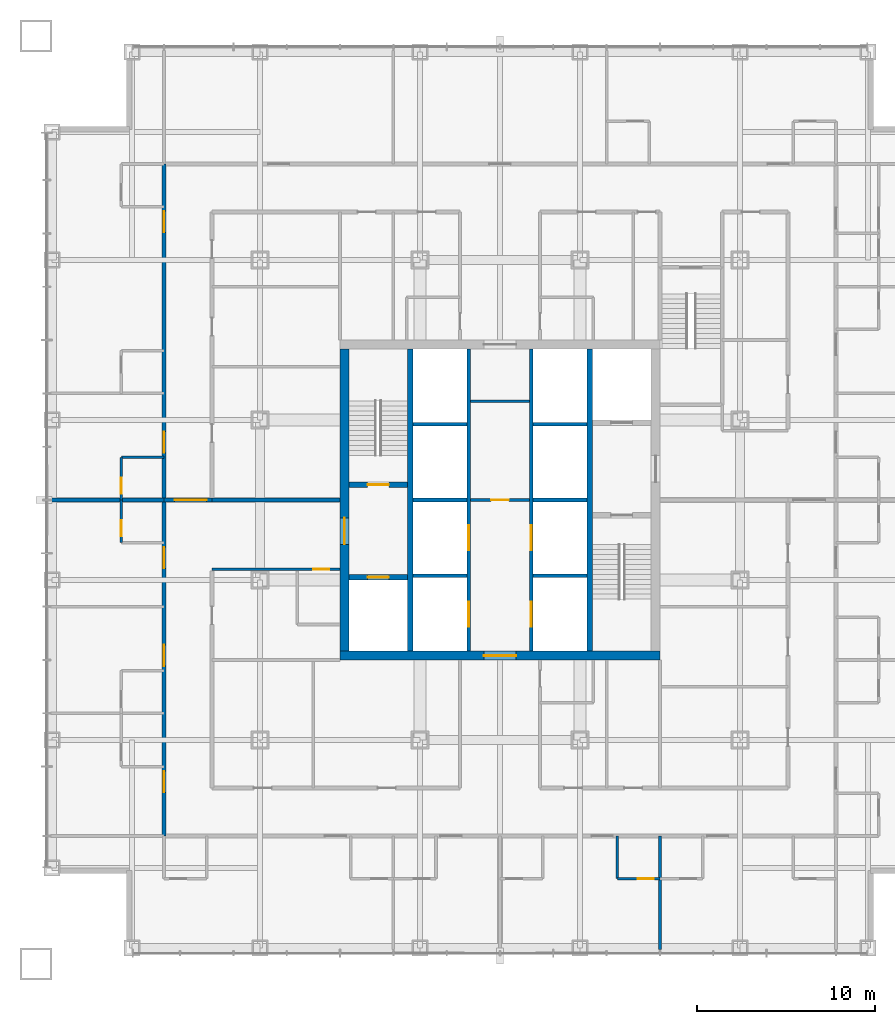
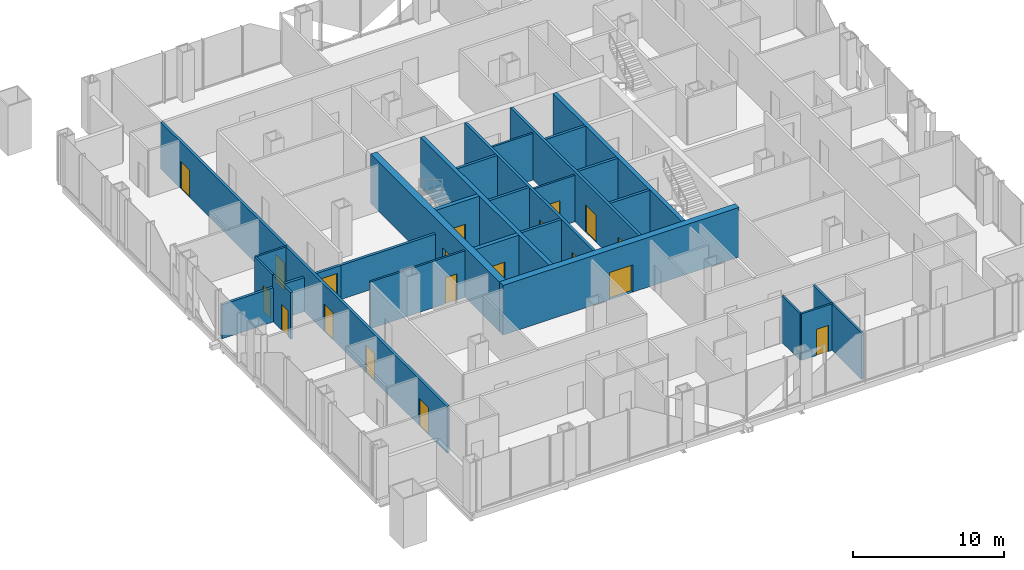
# One storey, part 8 of 13: 27 walls, 19 doors, 19 openings.
"""IFC4 building model written with IfcOpenShell, lengths in metres."""

from ifc_helpers import new_model, si_unit, direction, frame, frame_2d, origin, place, context, subcontext, project, spatial, rectangle, extrude, material, layer, layer_set, type_object, element, fill, save


model = new_model("IFC4")

# Units and contexts
model_context = context("Model", 3, precision=1e-05, world=origin(), true_north=direction((0.0, 1.0)))
body_context = subcontext(model_context, "Body", "Model", "MODEL_VIEW")
ifc_project = project(units=[si_unit("LENGTHUNIT", "METRE"), si_unit("AREAUNIT", "SQUARE_METRE"), si_unit("VOLUMEUNIT", "CUBIC_METRE"), si_unit("PLANEANGLEUNIT", "RADIAN"), si_unit("MASSUNIT", "GRAM", prefix="KILO")], contexts=[model_context])

# Site, building, storey
site_placement = place(None, origin())
site = spatial("IfcSite", under=ifc_project, at=site_placement, CompositionType="ELEMENT")
building_placement = place(site_placement, origin())
building = spatial("IfcBuilding", under=site, at=building_placement, Name="Malebo Sky Hospital", CompositionType="ELEMENT")
storey_placement = place(building_placement, frame((0.0, 0.0, 79.0)))
storey = spatial("IfcBuildingStorey", under=building, at=storey_placement, Name="L18", CompositionType="ELEMENT", Elevation=79.0)

# Wall, openings, doors
ifc_material_1 = material(Name="Concrete C80/95", Category="concrete")
ifc_layer_1 = layer(ifc_material_1, 0.199951171875)
ifc_layer_set_1 = layer_set([ifc_layer_1], Name="CORE INNER WALL 200")
wall_type_1 = type_object("IfcWallType", Name="CORE INNER WALL 200", PredefinedType="SHEAR", material=ifc_layer_set_1)
wall_1_placement = place(storey_placement, frame((58.25, 53.5, 0.0), z_axis=(0.0, 0.0, 1.0), x_axis=(0.0, 1.0, 0.0)))
wall_1 = element("IfcWall", 1, at=wall_1_placement, inside=storey, type_object=wall_type_1, Name="Core wall LW L18", PredefinedType="SHEAR", context=body_context, shape_type="SweptSolid", body=[
    extrude(rectangle(XDim=17.0, YDim=0.199951171875, at=frame_2d((8.5, 0.0))), origin(), (0.0, 0.0, 1.0), 4.0),
])
opening_1_placement = place(wall_1_placement, frame((1.375, 0.0, 0.0)))
opening_1 = element("IfcOpeningElement", 2, at=opening_1_placement, cuts=wall_1, Name="Opening LD1", PredefinedType="OPENING", context=body_context, shape_type="SweptSolid", body=[
    extrude(rectangle(XDim=1.39990234375, YDim=2.199951171875, at=frame_2d((0.699951171875, 1.10009765625))), frame((0.0, 0.10986328125, 0.0), z_axis=(0.0, -1.0, 0.0), x_axis=(1.0, 0.0, 0.0)), (0.0, 0.0, 1.0), 0.219970703125),
])
opening_2_placement = place(wall_1_placement, frame((5.675048828125, 0.0, 0.0)))
opening_2 = element("IfcOpeningElement", 3, at=opening_2_placement, cuts=wall_1, Name="Opening LD1", PredefinedType="OPENING", context=body_context, shape_type="SweptSolid", body=[
    extrude(rectangle(XDim=1.39990234375, YDim=2.199951171875, at=frame_2d((0.699951171875, 1.10009765625))), frame((0.0, 0.10986328125, 0.0), z_axis=(0.0, -1.0, 0.0), x_axis=(1.0, 0.0, 0.0)), (0.0, 0.0, 1.0), 0.219970703125),
])
ifc_material_2 = material(Name="Stainless steel sliding landing door", Category="steel")
door_type_1 = type_object("IfcDoorType", Name="LIFT LANDING DOOR 1400", OperationType="SLIDING_TO_LEFT", PredefinedType="DOOR", material=ifc_material_2)
door_1_placement = place(opening_1_placement, origin())
door_1 = element("IfcDoor", 4, at=door_1_placement, inside=storey, type_object=door_type_1, Name="Lift W1 landing door", OperationType="SLIDING_TO_LEFT", OverallHeight=2.199951171875, OverallWidth=1.39990234375, PredefinedType="DOOR", context=body_context, shape_type="SweptSolid", body=[
    extrude(rectangle(XDim=1.39990234375, YDim=2.199951171875, at=frame_2d((0.699951171875, 1.10009765625))), frame((0.0, 0.02490234375, 0.0), z_axis=(0.0, -1.0, 0.0), x_axis=(1.0, 0.0, 0.0)), (0.0, 0.0, 1.0), 0.050048828125),
])
fill(opening_1, door_1)
door_2_placement = place(opening_2_placement, origin())
door_2 = element("IfcDoor", 5, at=door_2_placement, inside=storey, type_object=door_type_1, Name="Lift W2 landing door", OperationType="SLIDING_TO_LEFT", OverallHeight=2.199951171875, OverallWidth=1.39990234375, PredefinedType="DOOR", context=body_context, shape_type="SweptSolid", body=[
    extrude(rectangle(XDim=1.39990234375, YDim=2.199951171875, at=frame_2d((0.699951171875, 1.10009765625))), frame((0.0, 0.02490234375, 0.0), z_axis=(0.0, -1.0, 0.0), x_axis=(1.0, 0.0, 0.0)), (0.0, 0.0, 1.0), 0.050048828125),
])
fill(opening_2, door_2)

wall_2_placement = place(storey_placement, frame((61.75, 53.5, 0.0), z_axis=(0.0, 0.0, 1.0), x_axis=(0.0, 1.0, 0.0)))
wall_2 = element("IfcWall", 6, at=wall_2_placement, inside=storey, type_object=wall_type_1, Name="Core wall LE L18", PredefinedType="SHEAR", context=body_context, shape_type="SweptSolid", body=[
    extrude(rectangle(XDim=17.0, YDim=0.199951171875, at=frame_2d((8.5, 0.0))), origin(), (0.0, 0.0, 1.0), 4.0),
])
opening_3_placement = place(wall_2_placement, frame((1.375, 0.0, 0.0)))
opening_3 = element("IfcOpeningElement", 7, at=opening_3_placement, cuts=wall_2, Name="Opening LD1", PredefinedType="OPENING", context=body_context, shape_type="SweptSolid", body=[
    extrude(rectangle(XDim=1.39990234375, YDim=2.199951171875, at=frame_2d((0.699951171875, 1.10009765625))), frame((0.0, 0.10986328125, 0.0), z_axis=(0.0, -1.0, 0.0), x_axis=(1.0, 0.0, 0.0)), (0.0, 0.0, 1.0), 0.219970703125),
])
opening_4_placement = place(wall_2_placement, frame((5.675048828125, 0.0, 0.0)))
opening_4 = element("IfcOpeningElement", 8, at=opening_4_placement, cuts=wall_2, Name="Opening LD1", PredefinedType="OPENING", context=body_context, shape_type="SweptSolid", body=[
    extrude(rectangle(XDim=1.39990234375, YDim=2.199951171875, at=frame_2d((0.699951171875, 1.10009765625))), frame((0.0, 0.10986328125, 0.0), z_axis=(0.0, -1.0, 0.0), x_axis=(1.0, 0.0, 0.0)), (0.0, 0.0, 1.0), 0.219970703125),
])
door_3_placement = place(opening_3_placement, origin())
door_3 = element("IfcDoor", 9, at=door_3_placement, inside=storey, type_object=door_type_1, Name="Lift E1 landing door", OperationType="SLIDING_TO_LEFT", OverallHeight=2.199951171875, OverallWidth=1.39990234375, PredefinedType="DOOR", context=body_context, shape_type="SweptSolid", body=[
    extrude(rectangle(XDim=1.39990234375, YDim=2.199951171875, at=frame_2d((0.699951171875, 1.10009765625))), frame((0.0, 0.02490234375, 0.0), z_axis=(0.0, -1.0, 0.0), x_axis=(1.0, 0.0, 0.0)), (0.0, 0.0, 1.0), 0.050048828125),
])
fill(opening_3, door_3)
door_4_placement = place(opening_4_placement, origin())
door_4 = element("IfcDoor", 10, at=door_4_placement, inside=storey, type_object=door_type_1, Name="Lift E2 landing door", OperationType="SLIDING_TO_LEFT", OverallHeight=2.199951171875, OverallWidth=1.39990234375, PredefinedType="DOOR", context=body_context, shape_type="SweptSolid", body=[
    extrude(rectangle(XDim=1.39990234375, YDim=2.199951171875, at=frame_2d((0.699951171875, 1.10009765625))), frame((0.0, 0.02490234375, 0.0), z_axis=(0.0, -1.0, 0.0), x_axis=(1.0, 0.0, 0.0)), (0.0, 0.0, 1.0), 0.050048828125),
])
fill(opening_4, door_4)

# Walls
for number, where, z_axis, x_axis, name in (
    (11, (55.10009765625, 57.75, 0.0), (0.0, 0.0, 1.0), (1.0, 0.0, 0.0), "Core wall SW0 L18"),
    (12, (61.85009765625, 57.75, 0.0), (0.0, 0.0, 1.0), (1.0, 0.0, 0.0), "Core wall SE0 L18"),
    (13, (55.10009765625, 62.0, 0.0), (0.0, 0.0, 1.0), (1.0, 0.0, 0.0), "Core wall SW1 L18"),
    (14, (61.85009765625, 62.0, 0.0), (0.0, 0.0, 1.0), (1.0, 0.0, 0.0), "Core wall SE1 L18"),
    (15, (55.10009765625, 66.25, 0.0), (0.0, 0.0, 1.0), (1.0, 0.0, 0.0), "Core wall SW2 L18"),
    (16, (61.85009765625, 66.25, 0.0), (0.0, 0.0, 1.0), (1.0, 0.0, 0.0), "Core wall SE2 L18"),
):
    element("IfcWall", number, at=place(storey_placement, frame(where, z_axis=z_axis, x_axis=x_axis)), inside=storey, type_object=wall_type_1, Name=name, PredefinedType="SHEAR", context=body_context, shape_type="SweptSolid", body=[
        extrude(rectangle(XDim=3.0498046875, YDim=0.199951171875, at=frame_2d((1.52490234375, 0.0))), origin(), (0.0, 0.0, 1.0), 4.0),
    ])
ifc_layer_2 = layer(ifc_material_1, 0.300048828125)
ifc_layer_set_2 = layer_set([ifc_layer_2], Name="CORE INNER WALL 300")
wall_type_2 = type_object("IfcWallType", Name="CORE INNER WALL 300", PredefinedType="SHEAR", material=ifc_layer_set_2)
for number, where, z_axis, x_axis, name in (
    (17, (54.949951171875, 53.5, 0.0), (0.0, 0.0, 1.0), (0.0, 1.0, 0.0), "Core wall XW L18"),
    (18, (65.050048828125, 53.5, 0.0), (0.0, 0.0, 1.0), (0.0, 1.0, 0.0), "Core wall XE L18"),
):
    element("IfcWall", number, at=place(storey_placement, frame(where, z_axis=z_axis, x_axis=x_axis)), inside=storey, type_object=wall_type_2, Name=name, PredefinedType="SHEAR", context=body_context, shape_type="SweptSolid", body=[
        extrude(rectangle(XDim=17.0, YDim=0.300048828125, at=frame_2d((8.5, 0.0))), origin(), (0.0, 0.0, 1.0), 4.0),
    ])

# Wall, opening, door
wall_3_placement = place(storey_placement, frame((51.5, 62.85009765625, 0.0), z_axis=(0.0, 0.0, 1.0), x_axis=(1.0, 0.0, 0.0)))
wall_3 = element("IfcWall", 19, at=wall_3_placement, inside=storey, type_object=wall_type_2, Name="Core wall W1 L18", PredefinedType="SHEAR", context=body_context, shape_type="SweptSolid", body=[
    extrude(rectangle(XDim=3.300048828125, YDim=0.300048828125, at=frame_2d((1.64990234375, 0.0))), origin(), (0.0, 0.0, 1.0), 4.0),
])
opening_5_placement = place(wall_3_placement, frame((1.050048828125, 0.0, 0.0)))
opening_5 = element("IfcOpeningElement", 20, at=opening_5_placement, cuts=wall_3, Name="Opening D08", PredefinedType="OPENING", context=body_context, shape_type="SweptSolid", body=[
    extrude(rectangle(XDim=1.199951171875, YDim=2.10009765625, at=frame_2d((0.60009765625, 1.050048828125))), frame((0.0, 0.159912109375, 0.0), z_axis=(0.0, -1.0, 0.0), x_axis=(1.0, 0.0, 0.0)), (0.0, 0.0, 1.0), 0.320068359375),
])
ifc_material_3 = material(Name="Hardwood-faced door leaf in steel frame", Category="steel")
door_type_2 = type_object("IfcDoorType", Name="STAIR DOOR 1200", OperationType="SINGLE_SWING_LEFT", PredefinedType="DOOR", material=ifc_material_3)
door_5_placement = place(opening_5_placement, origin())
door_5 = element("IfcDoor", 21, at=door_5_placement, inside=storey, type_object=door_type_2, Name="Stair S1 door", OperationType="SINGLE_SWING_LEFT", OverallHeight=2.10009765625, OverallWidth=1.199951171875, PredefinedType="DOOR", context=body_context, shape_type="SweptSolid", body=[
    extrude(rectangle(XDim=1.199951171875, YDim=2.10009765625, at=frame_2d((0.60009765625, 1.050048828125))), frame((0.0, 0.02490234375, 0.0), z_axis=(0.0, -1.0, 0.0), x_axis=(1.0, 0.0, 0.0)), (0.0, 0.0, 1.0), 0.050048828125),
])
fill(opening_5, door_5)

wall_4_placement = place(storey_placement, frame((51.5, 57.64990234375, 0.0), z_axis=(0.0, 0.0, 1.0), x_axis=(1.0, 0.0, 0.0)))
wall_4 = element("IfcWall", 22, at=wall_4_placement, inside=storey, type_object=wall_type_2, Name="Core wall W2 L18", PredefinedType="SHEAR", context=body_context, shape_type="SweptSolid", body=[
    extrude(rectangle(XDim=3.300048828125, YDim=0.300048828125, at=frame_2d((1.64990234375, 0.0))), origin(), (0.0, 0.0, 1.0), 4.0),
])
opening_6_placement = place(wall_4_placement, frame((1.050048828125, 0.0, 0.0)))
opening_6 = element("IfcOpeningElement", 23, at=opening_6_placement, cuts=wall_4, Name="Opening LD2", PredefinedType="OPENING", context=body_context, shape_type="SweptSolid", body=[
    extrude(rectangle(XDim=1.199951171875, YDim=2.199951171875, at=frame_2d((0.60009765625, 1.10009765625))), frame((0.0, 0.159912109375, 0.0), z_axis=(0.0, -1.0, 0.0), x_axis=(1.0, 0.0, 0.0)), (0.0, 0.0, 1.0), 0.320068359375),
])
door_type_3 = type_object("IfcDoorType", Name="FIRE-FIGHTING LIFT LANDING DOOR 1200", OperationType="SLIDING_TO_LEFT", PredefinedType="DOOR", material=ifc_material_2)
door_6_placement = place(opening_6_placement, origin())
door_6 = element("IfcDoor", 24, at=door_6_placement, inside=storey, type_object=door_type_3, Name="Lift FL1 landing door", OperationType="SLIDING_TO_LEFT", OverallHeight=2.199951171875, OverallWidth=1.199951171875, PredefinedType="DOOR", context=body_context, shape_type="SweptSolid", body=[
    extrude(rectangle(XDim=1.199951171875, YDim=2.199951171875, at=frame_2d((0.60009765625, 1.10009765625))), frame((0.0, 0.02490234375, 0.0), z_axis=(0.0, -1.0, 0.0), x_axis=(1.0, 0.0, 0.0)), (0.0, 0.0, 1.0), 0.050048828125),
])
fill(opening_6, door_6)

ifc_layer_3 = layer(ifc_material_1, 0.5)
ifc_layer_set_3 = layer_set([ifc_layer_3], Name="CORE WALL 500")
wall_type_3 = type_object("IfcWallType", Name="CORE WALL 500", PredefinedType="SHEAR", material=ifc_layer_set_3)
wall_5_placement = place(storey_placement, frame((51.0, 53.25, 0.0), z_axis=(0.0, 0.0, 1.0), x_axis=(1.0, 0.0, 0.0)))
wall_5 = element("IfcWall", 25, at=wall_5_placement, inside=storey, type_object=wall_type_3, Name="Core wall S L18", PredefinedType="SHEAR", context=body_context, shape_type="SweptSolid", body=[
    extrude(rectangle(XDim=18.0, YDim=0.5, at=frame_2d((9.0, 0.0))), origin(), (0.0, 0.0, 1.0), 4.0),
])
opening_7_placement = place(wall_5_placement, frame((8.10009765625, 0.0, 0.0)))
opening_7 = element("IfcOpeningElement", 26, at=opening_7_placement, cuts=wall_5, Name="Opening D06", PredefinedType="OPENING", context=body_context, shape_type="SweptSolid", body=[
    extrude(rectangle(XDim=1.800048828125, YDim=2.199951171875, at=frame_2d((0.89990234375, 1.10009765625))), frame((0.0, 0.260009765625, 0.0), z_axis=(0.0, -1.0, 0.0), x_axis=(1.0, 0.0, 0.0)), (0.0, 0.0, 1.0), 0.52001953125),
])
door_type_4 = type_object("IfcDoorType", Name="LOBBY DOOR PAIR 1800", OperationType="DOUBLE_DOOR_SINGLE_SWING", PredefinedType="DOOR", material=ifc_material_3)
door_7_placement = place(opening_7_placement, origin())
door_7 = element("IfcDoor", 27, at=door_7_placement, inside=storey, type_object=door_type_4, Name="Lift lobby door south", OperationType="DOUBLE_DOOR_SINGLE_SWING", OverallHeight=2.199951171875, OverallWidth=1.800048828125, PredefinedType="DOOR", context=body_context, shape_type="SweptSolid", body=[
    extrude(rectangle(XDim=1.800048828125, YDim=2.199951171875, at=frame_2d((0.89990234375, 1.10009765625))), frame((0.0, 0.02490234375, 0.0), z_axis=(0.0, -1.0, 0.0), x_axis=(1.0, 0.0, 0.0)), (0.0, 0.0, 1.0), 0.050048828125),
])
fill(opening_7, door_7)

wall_6_placement = place(storey_placement, frame((51.25, 53.5, 0.0), z_axis=(0.0, 0.0, 1.0), x_axis=(0.0, 1.0, 0.0)))
wall_6 = element("IfcWall", 28, at=wall_6_placement, inside=storey, type_object=wall_type_3, Name="Core wall W L18", PredefinedType="SHEAR", context=body_context, shape_type="SweptSolid", body=[
    extrude(rectangle(XDim=17.0, YDim=0.5, at=frame_2d((8.5, 0.0))), origin(), (0.0, 0.0, 1.0), 4.0),
])
opening_8_placement = place(wall_6_placement, frame((6.0, 0.0, 0.0)))
opening_8 = element("IfcOpeningElement", 29, at=opening_8_placement, cuts=wall_6, Name="Opening D07", PredefinedType="OPENING", context=body_context, shape_type="SweptSolid", body=[
    extrude(rectangle(XDim=1.5, YDim=2.199951171875, at=frame_2d((0.75, 1.10009765625))), frame((0.0, 0.260009765625, 0.0), z_axis=(0.0, -1.0, 0.0), x_axis=(1.0, 0.0, 0.0)), (0.0, 0.0, 1.0), 0.52001953125),
])
door_type_5 = type_object("IfcDoorType", Name="FIRE-FIGHTING LOBBY DOOR PAIR 1500", OperationType="DOUBLE_DOOR_SINGLE_SWING", PredefinedType="DOOR", material=ifc_material_3)
door_8_placement = place(opening_8_placement, origin())
door_8 = element("IfcDoor", 30, at=door_8_placement, inside=storey, type_object=door_type_5, Name="Fire-fighting lobby door west", OperationType="DOUBLE_DOOR_SINGLE_SWING", OverallHeight=2.199951171875, OverallWidth=1.5, PredefinedType="DOOR", context=body_context, shape_type="SweptSolid", body=[
    extrude(rectangle(XDim=1.5, YDim=2.199951171875, at=frame_2d((0.75, 1.10009765625))), frame((0.0, 0.02490234375, 0.0), z_axis=(0.0, -1.0, 0.0), x_axis=(1.0, 0.0, 0.0)), (0.0, 0.0, 1.0), 0.050048828125),
])
fill(opening_8, door_8)

# Wall, openings, doors
ifc_material_4 = material(Name="Gypsum board on steel studs", Category="steel")
ifc_layer_4 = layer(ifc_material_4, 0.199951171875)
ifc_layer_set_4 = layer_set([ifc_layer_4], Name="CORRIDOR WALL 200")
wall_type_4 = type_object("IfcWallType", Name="CORRIDOR WALL 200", PredefinedType="PARTITIONING", material=ifc_layer_set_4)
wall_7_placement = place(storey_placement, frame((41.10009765625, 43.10009765625, 0.0), z_axis=(0.0, 0.0, 1.0), x_axis=(0.0, 1.0, 0.0)))
wall_7 = element("IfcWall", 31, at=wall_7_placement, inside=storey, type_object=wall_type_4, Name="Corridor Wall 200 WCO", PredefinedType="PARTITIONING", context=body_context, shape_type="SweptSolid", body=[
    extrude(rectangle(XDim=37.7998046875, YDim=0.199951171875, at=frame_2d((18.89990234375, 0.0))), origin(), (0.0, 0.0, 1.0), 3.75),
])
opening_9_placement = place(wall_7_placement, frame((2.449951171875, 0.0, 0.0)))
opening_9 = element("IfcOpeningElement", 32, at=opening_9_placement, cuts=wall_7, Name="Opening D01", PredefinedType="OPENING", context=body_context, shape_type="SweptSolid", body=[
    extrude(rectangle(XDim=1.199951171875, YDim=2.199951171875, at=frame_2d((0.60009765625, 1.10009765625))), frame((0.0, 0.10986328125, 0.0), z_axis=(0.0, -1.0, 0.0), x_axis=(1.0, 0.0, 0.0)), (0.0, 0.0, 1.0), 0.219970703125),
])
opening_10_placement = place(wall_7_placement, frame((9.550048828125, 0.0, 0.0)))
opening_10 = element("IfcOpeningElement", 33, at=opening_10_placement, cuts=wall_7, Name="Opening D01", PredefinedType="OPENING", context=body_context, shape_type="SweptSolid", body=[
    extrude(rectangle(XDim=1.199951171875, YDim=2.199951171875, at=frame_2d((0.60009765625, 1.10009765625))), frame((0.0, 0.10986328125, 0.0), z_axis=(0.0, -1.0, 0.0), x_axis=(1.0, 0.0, 0.0)), (0.0, 0.0, 1.0), 0.219970703125),
])
opening_11_placement = place(wall_7_placement, frame((15.050048828125, 0.0, 0.0)))
opening_11 = element("IfcOpeningElement", 34, at=opening_11_placement, cuts=wall_7, Name="Opening D01", PredefinedType="OPENING", context=body_context, shape_type="SweptSolid", body=[
    extrude(rectangle(XDim=1.199951171875, YDim=2.199951171875, at=frame_2d((0.60009765625, 1.10009765625))), frame((0.0, 0.10986328125, 0.0), z_axis=(0.0, -1.0, 0.0), x_axis=(1.0, 0.0, 0.0)), (0.0, 0.0, 1.0), 0.219970703125),
])
opening_12_placement = place(wall_7_placement, frame((21.550048828125, 0.0, 0.0)))
opening_12 = element("IfcOpeningElement", 35, at=opening_12_placement, cuts=wall_7, Name="Opening D01", PredefinedType="OPENING", context=body_context, shape_type="SweptSolid", body=[
    extrude(rectangle(XDim=1.199951171875, YDim=2.199951171875, at=frame_2d((0.60009765625, 1.10009765625))), frame((0.0, 0.10986328125, 0.0), z_axis=(0.0, -1.0, 0.0), x_axis=(1.0, 0.0, 0.0)), (0.0, 0.0, 1.0), 0.219970703125),
])
opening_13_placement = place(wall_7_placement, frame((33.949951171875, 0.0, 0.0)))
opening_13 = element("IfcOpeningElement", 36, at=opening_13_placement, cuts=wall_7, Name="Opening D01", PredefinedType="OPENING", context=body_context, shape_type="SweptSolid", body=[
    extrude(rectangle(XDim=1.199951171875, YDim=2.199951171875, at=frame_2d((0.60009765625, 1.10009765625))), frame((0.0, 0.10986328125, 0.0), z_axis=(0.0, -1.0, 0.0), x_axis=(1.0, 0.0, 0.0)), (0.0, 0.0, 1.0), 0.219970703125),
])
door_type_6 = type_object("IfcDoorType", Name="BED DOOR 1200", OperationType="SINGLE_SWING_LEFT", PredefinedType="DOOR", material=ifc_material_3)
door_9_placement = place(opening_9_placement, origin())
door_9 = element("IfcDoor", 37, at=door_9_placement, inside=storey, type_object=door_type_6, Name="Single bed room door", OperationType="SINGLE_SWING_RIGHT", OverallHeight=2.199951171875, OverallWidth=1.199951171875, PredefinedType="DOOR", context=body_context, shape_type="SweptSolid", body=[
    extrude(rectangle(XDim=1.199951171875, YDim=2.199951171875, at=frame_2d((0.60009765625, 1.10009765625))), frame((0.0, 0.02490234375, 0.0), z_axis=(0.0, -1.0, 0.0), x_axis=(1.0, 0.0, 0.0)), (0.0, 0.0, 1.0), 0.050048828125),
])
fill(opening_9, door_9)
door_10_placement = place(opening_10_placement, origin())
door_10 = element("IfcDoor", 38, at=door_10_placement, inside=storey, type_object=door_type_6, Name="Single bed room door", OperationType="SINGLE_SWING_LEFT", OverallHeight=2.199951171875, OverallWidth=1.199951171875, PredefinedType="DOOR", context=body_context, shape_type="SweptSolid", body=[
    extrude(rectangle(XDim=1.199951171875, YDim=2.199951171875, at=frame_2d((0.60009765625, 1.10009765625))), frame((0.0, 0.02490234375, 0.0), z_axis=(0.0, -1.0, 0.0), x_axis=(1.0, 0.0, 0.0)), (0.0, 0.0, 1.0), 0.050048828125),
])
fill(opening_10, door_10)
door_11_placement = place(opening_11_placement, origin())
door_11 = element("IfcDoor", 39, at=door_11_placement, inside=storey, type_object=door_type_6, Name="Single bed room door", OperationType="SINGLE_SWING_RIGHT", OverallHeight=2.199951171875, OverallWidth=1.199951171875, PredefinedType="DOOR", context=body_context, shape_type="SweptSolid", body=[
    extrude(rectangle(XDim=1.199951171875, YDim=2.199951171875, at=frame_2d((0.60009765625, 1.10009765625))), frame((0.0, 0.02490234375, 0.0), z_axis=(0.0, -1.0, 0.0), x_axis=(1.0, 0.0, 0.0)), (0.0, 0.0, 1.0), 0.050048828125),
])
fill(opening_11, door_11)
door_12_placement = place(opening_12_placement, origin())
door_12 = element("IfcDoor", 40, at=door_12_placement, inside=storey, type_object=door_type_6, Name="Single bed room door", OperationType="SINGLE_SWING_LEFT", OverallHeight=2.199951171875, OverallWidth=1.199951171875, PredefinedType="DOOR", context=body_context, shape_type="SweptSolid", body=[
    extrude(rectangle(XDim=1.199951171875, YDim=2.199951171875, at=frame_2d((0.60009765625, 1.10009765625))), frame((0.0, 0.02490234375, 0.0), z_axis=(0.0, -1.0, 0.0), x_axis=(1.0, 0.0, 0.0)), (0.0, 0.0, 1.0), 0.050048828125),
])
fill(opening_12, door_12)
door_13_placement = place(opening_13_placement, origin())
door_13 = element("IfcDoor", 41, at=door_13_placement, inside=storey, type_object=door_type_6, Name="Four-bed bay door", OperationType="SINGLE_SWING_RIGHT", OverallHeight=2.199951171875, OverallWidth=1.199951171875, PredefinedType="DOOR", context=body_context, shape_type="SweptSolid", body=[
    extrude(rectangle(XDim=1.199951171875, YDim=2.199951171875, at=frame_2d((0.60009765625, 1.10009765625))), frame((0.0, 0.02490234375, 0.0), z_axis=(0.0, -1.0, 0.0), x_axis=(1.0, 0.0, 0.0)), (0.0, 0.0, 1.0), 0.050048828125),
])
fill(opening_13, door_13)

# Wall, opening, door
ifc_layer_5 = layer(ifc_material_4, 0.14990234375)
ifc_layer_set_5 = layer_set([ifc_layer_5], Name="PARTITION 150")
wall_type_5 = type_object("IfcWallType", Name="PARTITION 150", PredefinedType="PARTITIONING", material=ifc_layer_set_5)
wall_8_placement = place(storey_placement, frame((38.699951171875, 59.60009765625, 0.0), z_axis=(0.0, 0.0, 1.0), x_axis=(0.0, 1.0, 0.0)))
wall_8 = element("IfcWall", 42, at=wall_8_placement, inside=storey, type_object=wall_type_5, Name="Partition 150 WE2F", PredefinedType="PARTITIONING", context=body_context, shape_type="SweptSolid", body=[
    extrude(rectangle(XDim=2.39990234375, YDim=0.14990234375, at=frame_2d((1.199951171875, 0.0))), origin(), (0.0, 0.0, 1.0), 3.75),
])
opening_14_placement = place(wall_8_placement, frame((0.35009765625, 0.0, 0.0)))
opening_14 = element("IfcOpeningElement", 43, at=opening_14_placement, cuts=wall_8, Name="Opening D02", PredefinedType="OPENING", context=body_context, shape_type="SweptSolid", body=[
    extrude(rectangle(XDim=0.89990234375, YDim=2.10009765625, at=frame_2d((0.449951171875, 1.050048828125))), frame((0.0, 0.0849609375, 0.0), z_axis=(0.0, -1.0, 0.0), x_axis=(1.0, 0.0, 0.0)), (0.0, 0.0, 1.0), 0.169921875),
])
door_type_7 = type_object("IfcDoorType", Name="EN-SUITE DOOR 900", OperationType="SINGLE_SWING_LEFT", PredefinedType="DOOR", material=ifc_material_3)
door_14_placement = place(opening_14_placement, origin())
door_14 = element("IfcDoor", 44, at=door_14_placement, inside=storey, type_object=door_type_7, Name="En-suite door", OperationType="SINGLE_SWING_LEFT", OverallHeight=2.10009765625, OverallWidth=0.89990234375, PredefinedType="DOOR", context=body_context, shape_type="SweptSolid", body=[
    extrude(rectangle(XDim=0.89990234375, YDim=2.10009765625, at=frame_2d((0.449951171875, 1.050048828125))), frame((0.0, 0.02490234375, 0.0), z_axis=(0.0, -1.0, 0.0), x_axis=(1.0, 0.0, 0.0)), (0.0, 0.0, 1.0), 0.050048828125),
])
fill(opening_14, door_14)

wall_9_placement = place(storey_placement, frame((38.699951171875, 62.0, 0.0), z_axis=(0.0, 0.0, 1.0), x_axis=(0.0, 1.0, 0.0)))
wall_9 = element("IfcWall", 45, at=wall_9_placement, inside=storey, type_object=wall_type_5, Name="Partition 150 WE3F", PredefinedType="PARTITIONING", context=body_context, shape_type="SweptSolid", body=[
    extrude(rectangle(XDim=2.39990234375, YDim=0.14990234375, at=frame_2d((1.199951171875, 0.0))), origin(), (0.0, 0.0, 1.0), 3.75),
])
opening_15_placement = place(wall_9_placement, frame((0.35009765625, 0.0, 0.0)))
opening_15 = element("IfcOpeningElement", 46, at=opening_15_placement, cuts=wall_9, Name="Opening D02", PredefinedType="OPENING", context=body_context, shape_type="SweptSolid", body=[
    extrude(rectangle(XDim=0.89990234375, YDim=2.10009765625, at=frame_2d((0.449951171875, 1.050048828125))), frame((0.0, 0.0849609375, 0.0), z_axis=(0.0, -1.0, 0.0), x_axis=(1.0, 0.0, 0.0)), (0.0, 0.0, 1.0), 0.169921875),
])
door_15_placement = place(opening_15_placement, origin())
door_15 = element("IfcDoor", 47, at=door_15_placement, inside=storey, type_object=door_type_7, Name="En-suite door", OperationType="SINGLE_SWING_LEFT", OverallHeight=2.10009765625, OverallWidth=0.89990234375, PredefinedType="DOOR", context=body_context, shape_type="SweptSolid", body=[
    extrude(rectangle(XDim=0.89990234375, YDim=2.10009765625, at=frame_2d((0.449951171875, 1.050048828125))), frame((0.0, 0.02490234375, 0.0), z_axis=(0.0, -1.0, 0.0), x_axis=(1.0, 0.0, 0.0)), (0.0, 0.0, 1.0), 0.050048828125),
])
fill(opening_15, door_15)

# Wall
wall_10_placement = place(storey_placement, frame((41.10009765625, 64.39990234375, 0.0), z_axis=(0.0, 0.0, 1.0), x_axis=(-1.0, 0.0, 0.0)))
element("IfcWall", 48, at=wall_10_placement, inside=storey, type_object=wall_type_5, Name="Partition 150 WE3S", PredefinedType="PARTITIONING", context=body_context, shape_type="SweptSolid", body=[
    extrude(rectangle(XDim=2.400146484375, YDim=0.14990234375, at=frame_2d((1.2001953125, 0.0))), origin(), (0.0, 0.0, 1.0), 3.75),
])

# Wall, opening, door
wall_11_placement = place(storey_placement, frame((51.0, 58.10009765625, 0.0), z_axis=(0.0, 0.0, 1.0), x_axis=(-1.0, 0.0, 0.0)))
wall_11 = element("IfcWall", 49, at=wall_11_placement, inside=storey, type_object=wall_type_5, Name="Partition 150 WSPA", PredefinedType="PARTITIONING", context=body_context, shape_type="SweptSolid", body=[
    extrude(rectangle(XDim=7.199951171875, YDim=0.14990234375, at=frame_2d((3.60009765625, 0.0))), origin(), (0.0, 0.0, 1.0), 3.75),
])
opening_16_placement = place(wall_11_placement, frame((0.60009765625, 0.0, 0.0)))
opening_16 = element("IfcOpeningElement", 50, at=opening_16_placement, cuts=wall_11, Name="Opening D04", PredefinedType="OPENING", context=body_context, shape_type="SweptSolid", body=[
    extrude(rectangle(XDim=0.89990234375, YDim=2.10009765625, at=frame_2d((0.449951171875, 1.050048828125))), frame((0.0, 0.0849609375, 0.0), z_axis=(0.0, -1.0, 0.0), x_axis=(1.0, 0.0, 0.0)), (0.0, 0.0, 1.0), 0.169921875),
])
door_type_8 = type_object("IfcDoorType", Name="ROOM DOOR 900", OperationType="SINGLE_SWING_LEFT", PredefinedType="DOOR", material=ifc_material_3)
door_16_placement = place(opening_16_placement, origin())
door_16 = element("IfcDoor", 51, at=door_16_placement, inside=storey, type_object=door_type_8, Name="Cleaner's room door", OperationType="SINGLE_SWING_LEFT", OverallHeight=2.10009765625, OverallWidth=0.89990234375, PredefinedType="DOOR", context=body_context, shape_type="SweptSolid", body=[
    extrude(rectangle(XDim=0.89990234375, YDim=2.10009765625, at=frame_2d((0.449951171875, 1.050048828125))), frame((0.0, 0.02490234375, 0.0), z_axis=(0.0, -1.0, 0.0), x_axis=(1.0, 0.0, 0.0)), (0.0, 0.0, 1.0), 0.050048828125),
])
fill(opening_16, door_16)

# Wall
wall_12_placement = place(storey_placement, frame((69.0, 43.10009765625, 0.0), z_axis=(0.0, 0.0, 1.0), x_axis=(0.0, -1.0, 0.0)))
element("IfcWall", 52, at=wall_12_placement, inside=storey, type_object=wall_type_5, Name="Partition 150 SP-9.0", PredefinedType="PARTITIONING", context=body_context, shape_type="SweptSolid", body=[
    extrude(rectangle(XDim=6.375, YDim=0.14990234375, at=frame_2d((3.1875, 0.0))), origin(), (0.0, 0.0, 1.0), 3.75),
])

# Wall, opening, door
wall_13_placement = place(storey_placement, frame((69.0, 40.699951171875, 0.0), z_axis=(0.0, 0.0, 1.0), x_axis=(-1.0, 0.0, 0.0)))
wall_13 = element("IfcWall", 53, at=wall_13_placement, inside=storey, type_object=wall_type_5, Name="Partition 150 SE1F", PredefinedType="PARTITIONING", context=body_context, shape_type="SweptSolid", body=[
    extrude(rectangle(XDim=2.39990234375, YDim=0.14990234375, at=frame_2d((1.199951171875, 0.0))), origin(), (0.0, 0.0, 1.0), 3.75),
])
opening_17_placement = place(wall_13_placement, frame((0.35009765625, 0.0, 0.0)))
opening_17 = element("IfcOpeningElement", 54, at=opening_17_placement, cuts=wall_13, Name="Opening D02", PredefinedType="OPENING", context=body_context, shape_type="SweptSolid", body=[
    extrude(rectangle(XDim=0.89990234375, YDim=2.10009765625, at=frame_2d((0.449951171875, 1.050048828125))), frame((0.0, 0.0849609375, 0.0), z_axis=(0.0, -1.0, 0.0), x_axis=(1.0, 0.0, 0.0)), (0.0, 0.0, 1.0), 0.169921875),
])
door_17_placement = place(opening_17_placement, origin())
door_17 = element("IfcDoor", 55, at=door_17_placement, inside=storey, type_object=door_type_7, Name="En-suite door", OperationType="SINGLE_SWING_LEFT", OverallHeight=2.10009765625, OverallWidth=0.89990234375, PredefinedType="DOOR", context=body_context, shape_type="SweptSolid", body=[
    extrude(rectangle(XDim=0.89990234375, YDim=2.10009765625, at=frame_2d((0.449951171875, 1.050048828125))), frame((0.0, 0.02490234375, 0.0), z_axis=(0.0, -1.0, 0.0), x_axis=(1.0, 0.0, 0.0)), (0.0, 0.0, 1.0), 0.050048828125),
])
fill(opening_17, door_17)

# Wall
wall_14_placement = place(storey_placement, frame((66.60009765625, 43.10009765625, 0.0), z_axis=(0.0, 0.0, 1.0), x_axis=(0.0, -1.0, 0.0)))
element("IfcWall", 56, at=wall_14_placement, inside=storey, type_object=wall_type_5, Name="Partition 150 SE1S", PredefinedType="PARTITIONING", context=body_context, shape_type="SweptSolid", body=[
    extrude(rectangle(XDim=2.400146484375, YDim=0.14990234375, at=frame_2d((1.2001953125, 0.0))), origin(), (0.0, 0.0, 1.0), 3.75),
])

# Wall, opening, door
wall_15_placement = place(storey_placement, frame((58.35009765625, 62.0, 0.0), z_axis=(0.0, 0.0, 1.0), x_axis=(1.0, 0.0, 0.0)))
wall_15 = element("IfcWall", 57, at=wall_15_placement, inside=storey, type_object=wall_type_5, Name="Partition 150 LBN", PredefinedType="PARTITIONING", context=body_context, shape_type="SweptSolid", body=[
    extrude(rectangle(XDim=3.2998046875, YDim=0.14990234375, at=frame_2d((1.64990234375, 0.0))), origin(), (0.0, 0.0, 1.0), 3.75),
])
opening_18_placement = place(wall_15_placement, frame((1.14990234375, 0.0, 0.0)))
opening_18 = element("IfcOpeningElement", 58, at=opening_18_placement, cuts=wall_15, Name="Opening D03", PredefinedType="OPENING", context=body_context, shape_type="SweptSolid", body=[
    extrude(rectangle(XDim=1.0, YDim=2.10009765625, at=frame_2d((0.5, 1.050048828125))), frame((0.0, 0.0849609375, 0.0), z_axis=(0.0, -1.0, 0.0), x_axis=(1.0, 0.0, 0.0)), (0.0, 0.0, 1.0), 0.169921875),
])
door_type_9 = type_object("IfcDoorType", Name="ROOM DOOR 1000", OperationType="SINGLE_SWING_LEFT", PredefinedType="DOOR", material=ifc_material_3)
door_18_placement = place(opening_18_placement, origin())
door_18 = element("IfcDoor", 59, at=door_18_placement, inside=storey, type_object=door_type_9, Name="Housekeeping store door", OperationType="SINGLE_SWING_LEFT", OverallHeight=2.10009765625, OverallWidth=1.0, PredefinedType="DOOR", context=body_context, shape_type="SweptSolid", body=[
    extrude(rectangle(XDim=1.0, YDim=2.10009765625, at=frame_2d((0.5, 1.050048828125))), frame((0.0, 0.02490234375, 0.0), z_axis=(0.0, -1.0, 0.0), x_axis=(1.0, 0.0, 0.0)), (0.0, 0.0, 1.0), 0.050048828125),
])
fill(opening_18, door_18)

# Walls
wall_16_placement = place(storey_placement, frame((58.35009765625, 67.55126953125, 0.0), z_axis=(0.0, 0.0, 1.0), x_axis=(1.0, 0.0, 0.0)))
element("IfcWall", 60, at=wall_16_placement, inside=storey, type_object=wall_type_5, Name="Partition 150 LBN1", PredefinedType="PARTITIONING", context=body_context, shape_type="SweptSolid", body=[
    extrude(rectangle(XDim=3.2998046875, YDim=0.14990234375, at=frame_2d((1.64990234375, 0.0))), origin(), (0.0, 0.0, 1.0), 3.75),
])
ifc_material_5 = material(Name="Concrete blockwork", Category="masonry")
ifc_layer_6 = layer(ifc_material_5, 0.199951171875)
ifc_layer_set_6 = layer_set([ifc_layer_6], Name="SMOKE BARRIER WALL 200")
wall_type_6 = type_object("IfcWallType", Name="SMOKE BARRIER WALL 200", PredefinedType="SOLIDWALL", material=ifc_layer_set_6)
wall_17_placement = place(storey_placement, frame((41.10009765625, 62.0, 0.0), z_axis=(0.0, 0.0, 1.0), x_axis=(-1.0, 0.0, 0.0)))
element("IfcWall", 61, at=wall_17_placement, inside=storey, type_object=wall_type_6, Name="Smoke Barrier Wall 200 WP+0.0", PredefinedType="SOLIDWALL", context=body_context, shape_type="SweptSolid", body=[
    extrude(rectangle(XDim=6.375, YDim=0.199951171875, at=frame_2d((3.1875, 0.0))), origin(), (0.0, 0.0, 1.0), 2.75),
])
wall_18_placement = place(storey_placement, frame((51.0, 62.0, 0.0), z_axis=(0.0, 0.0, 1.0), x_axis=(-1.0, 0.0, 0.0)))
element("IfcWall", 62, at=wall_18_placement, inside=storey, type_object=wall_type_6, Name="Smoke Barrier Wall 200 WSPB", PredefinedType="SOLIDWALL", context=body_context, shape_type="SweptSolid", body=[
    extrude(rectangle(XDim=7.199951171875, YDim=0.199951171875, at=frame_2d((3.60009765625, 0.0))), origin(), (0.0, 0.0, 1.0), 2.75),
])

# Wall, opening, door
wall_19_placement = place(storey_placement, frame((43.800048828125, 62.0, 0.0), z_axis=(0.0, 0.0, 1.0), x_axis=(-1.0, 0.0, 0.0)))
wall_19 = element("IfcWall", 63, at=wall_19_placement, inside=storey, type_object=wall_type_6, Name="Smoke Barrier Wall 200 WSB", PredefinedType="SOLIDWALL", context=body_context, shape_type="SweptSolid", body=[
    extrude(rectangle(XDim=2.699951171875, YDim=0.199951171875, at=frame_2d((1.35009765625, 0.0))), origin(), (0.0, 0.0, 1.0), 2.75),
])
opening_19_placement = place(wall_19_placement, frame((0.300048828125, 0.0, 0.0)))
opening_19 = element("IfcOpeningElement", 64, at=opening_19_placement, cuts=wall_19, Name="Opening D05", PredefinedType="OPENING", context=body_context, shape_type="SweptSolid", body=[
    extrude(rectangle(XDim=1.800048828125, YDim=2.199951171875, at=frame_2d((0.89990234375, 1.10009765625))), frame((0.0, 0.10986328125, 0.0), z_axis=(0.0, -1.0, 0.0), x_axis=(1.0, 0.0, 0.0)), (0.0, 0.0, 1.0), 0.219970703125),
])
door_type_10 = type_object("IfcDoorType", Name="SMOKE DOOR PAIR 1800", OperationType="DOUBLE_DOOR_DOUBLE_SWING", PredefinedType="DOOR", material=ifc_material_3)
door_19_placement = place(opening_19_placement, origin())
door_19 = element("IfcDoor", 65, at=door_19_placement, inside=storey, type_object=door_type_10, Name="Smoke compartment door pair", OperationType="DOUBLE_DOOR_DOUBLE_SWING", OverallHeight=2.199951171875, OverallWidth=1.800048828125, PredefinedType="DOOR", context=body_context, shape_type="SweptSolid", body=[
    extrude(rectangle(XDim=1.800048828125, YDim=2.199951171875, at=frame_2d((0.89990234375, 1.10009765625))), frame((0.0, 0.02490234375, 0.0), z_axis=(0.0, -1.0, 0.0), x_axis=(1.0, 0.0, 0.0)), (0.0, 0.0, 1.0), 0.050048828125),
])
fill(opening_19, door_19)

save(model, "model.ifc")
